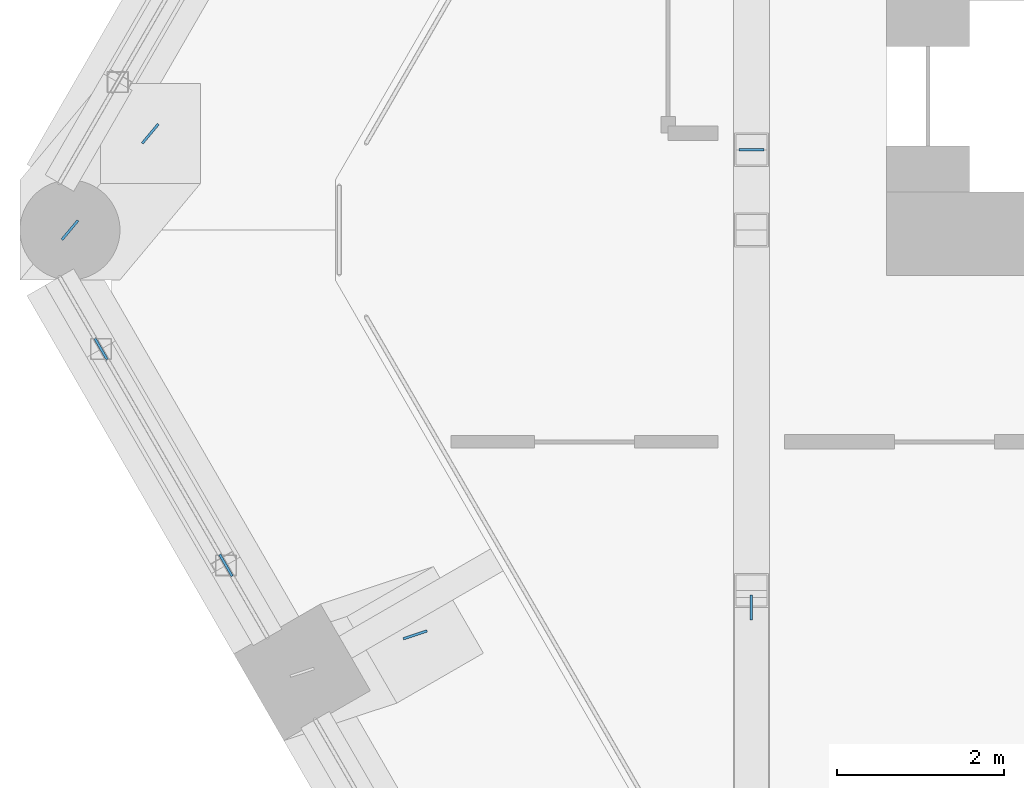
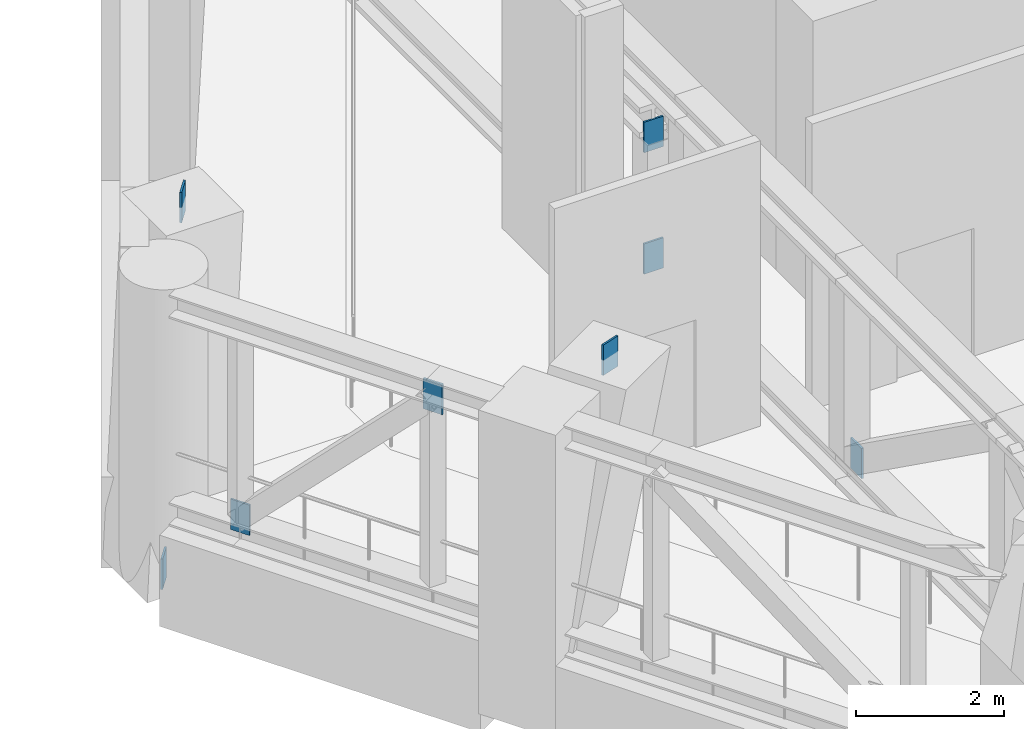
# One storey, part 14 of 22: 8 discrete accessories.
"""IFC4 building model written with IfcOpenShell, lengths in metres."""

import ifcopenshell
import ifcopenshell.guid

model = None  # the IFC model being written
_history = None  # IfcOwnerHistory: only IFC2X3 demands one
_inside = {}  # id of a spatial element -> (the spatial element, [elements in it])
_under = {}  # id of a project, library or spatial element -> (it, [spatial elements below it])
_declared = {}  # id of a project -> (the project, [libraries it declares])
_typed = {}  # id of a type object -> (the type object, [elements of that type])
_made_of = {}  # id of a material, layer set ... -> (it, [elements and type objects made of it])


def new_model(schema):
    """Start an empty IFC model of exactly this schema.

    Asked for "IFC4X3", IfcOpenShell would pick the latest addendum, in which some entities
    have other attributes; the version numbers below select the first issue.
    IFC2X3 requires an IfcOwnerHistory on every rooted entity: one is made here for all.
    """
    global model, _history
    if schema == "IFC4X3":
        model = ifcopenshell.file(schema_version=(4, 3, 0, 0))
    else:
        model = ifcopenshell.file(schema=schema)
    _inside.clear()
    _under.clear()
    _declared.clear()
    _typed.clear()
    _made_of.clear()
    _history = None
    if model.schema == "IFC2X3":
        org = make("IfcOrganization", Name="unknown")
        user = make(
            "IfcPersonAndOrganization",
            ThePerson=make("IfcPerson", FamilyName="unknown"),
            TheOrganization=org,
        )
        app = make(
            "IfcApplication",
            ApplicationDeveloper=org,
            Version="unknown",
            ApplicationFullName="unknown",
            ApplicationIdentifier="unknown",
        )
        _history = make(
            "IfcOwnerHistory",
            OwningUser=user,
            OwningApplication=app,
            ChangeAction="ADDED",
            CreationDate=0,
        )
    return model


def make(cls, **values):
    """One entity of the class cls with the attributes given. An attribute that is None is left unset."""
    return model.create_entity(
        cls, **{name: value for name, value in values.items() if value is not None}
    )


def rooted(cls, **values):
    """An entity with a GlobalId (a new one), such as an element, a storey or a relation."""
    return make(cls, GlobalId=ifcopenshell.guid.new(), OwnerHistory=_history, **values)


def si_unit(unit_type, name, prefix=None):
    """IfcSIUnit, for example si_unit("LENGTHUNIT", "METRE", prefix="MILLI")."""
    return make("IfcSIUnit", UnitType=unit_type, Prefix=prefix, Name=name)


def assignment(units):
    """IfcUnitAssignment: the units of a project."""
    return None if units is None else make("IfcUnitAssignment", Units=units)


def point(xyz):
    """IfcCartesianPoint."""
    return None if xyz is None else make("IfcCartesianPoint", Coordinates=xyz)


def direction(xyz):
    """IfcDirection."""
    return None if xyz is None else make("IfcDirection", DirectionRatios=xyz)


def frame(location, z_axis=None, x_axis=None):
    """IfcAxis2Placement3D, a coordinate frame: its origin and axes. An axis left out is left unset."""
    return make(
        "IfcAxis2Placement3D",
        Location=point(location),
        Axis=direction(z_axis),
        RefDirection=direction(x_axis),
    )


def frame_2d(location, x_axis=None):
    """IfcAxis2Placement2D, a coordinate frame in the plane: its origin and x axis."""
    return make(
        "IfcAxis2Placement2D", Location=point(location), RefDirection=direction(x_axis)
    )


def origin():
    """The frame at (0, 0, 0) with its axes left unset."""
    return frame((0.0, 0.0, 0.0))


def origin_2d():
    """The frame at (0, 0) in the plane with its x axis left unset."""
    return frame_2d((0.0, 0.0))


def place(relative_to, where):
    """IfcLocalPlacement: puts the frame where relative to a parent placement (None: the world)."""
    return make(
        "IfcLocalPlacement", PlacementRelTo=relative_to, RelativePlacement=where
    )


def context(
    kind, dimensions, precision=None, world=None, true_north=None, identifier=None
):
    """IfcGeometricRepresentationContext, for example the 3D "Model" context."""
    return make(
        "IfcGeometricRepresentationContext",
        ContextIdentifier=identifier,
        ContextType=kind,
        CoordinateSpaceDimension=dimensions,
        Precision=precision,
        WorldCoordinateSystem=world,
        TrueNorth=true_north,
    )


def subcontext(parent, identifier, kind, view, scale=None):
    """IfcGeometricRepresentationSubContext, for example "Body" below "Model"."""
    return make(
        "IfcGeometricRepresentationSubContext",
        ContextIdentifier=identifier,
        ContextType=kind,
        ParentContext=parent,
        TargetScale=scale,
        TargetView=view,
    )


def project(units=None, contexts=None):
    """IfcProject with its units and contexts."""
    return rooted(
        "IfcProject",
        Name="project",
        RepresentationContexts=contexts,
        UnitsInContext=assignment(units),
    )


def spatial(cls, under=None, at=None, **own):
    """A site, building, storey or space (cls), placed at a placement, below another one or the project."""
    s = rooted(cls, ObjectPlacement=at, **own)
    if under is not None:
        _under.setdefault(under.id(), (under, []))[1].append(s)
    return s


def profile(cls, at=None, kind="AREA", **sizes):
    """A parametric profile (cls). Its sizes go by their IFC names, for example OverallWidth=200.0."""
    return make(cls, ProfileType=kind, Position=at, **sizes)


def rectangle(**sizes):
    """IfcRectangleProfileDef."""
    return profile("IfcRectangleProfileDef", **sizes)


def extrude(swept, where, along, depth):
    """IfcExtrudedAreaSolid: the profile swept, set in the frame where, extruded along a direction by depth."""
    return make(
        "IfcExtrudedAreaSolid",
        SweptArea=swept,
        Position=where,
        ExtrudedDirection=direction(along),
        Depth=depth,
    )


def shape(context_of_items, identifier, shape_type, items):
    """IfcShapeRepresentation: the items that make up one representation, for example the "Body"."""
    return make(
        "IfcShapeRepresentation",
        ContextOfItems=context_of_items,
        RepresentationIdentifier=identifier,
        RepresentationType=shape_type,
        Items=items,
    )


def material(Name=None, Category=None):
    """IfcMaterial."""
    return make("IfcMaterial", Name=Name, Category=Category)


def layer(
    of_material, thickness, ventilated=None, Name=None, Category=None, Priority=None
):
    """IfcMaterialLayer: one layer of a wall or slab, of a material (None: an air gap)."""
    return make(
        "IfcMaterialLayer",
        Material=of_material,
        LayerThickness=thickness,
        IsVentilated=ventilated,
        Name=Name,
        Category=Category,
        Priority=Priority,
    )


def layer_set(layers, Name=None):
    """IfcMaterialLayerSet."""
    return make("IfcMaterialLayerSet", MaterialLayers=layers, LayerSetName=Name)


def made_of(thing, what):
    """Note that an element or type object is made of a material, layer set ...; save() writes the relation."""
    if what is not None:
        _made_of.setdefault(what.id(), (what, []))[1].append(thing)
    return thing


def type_object(cls, material=None, **own):
    """A type object (cls), such as IfcWallType, which elements share."""
    return made_of(rooted(cls, **own), material)


def element(
    cls,
    number,
    at=None,
    inside=None,
    cuts=None,
    type_object=None,
    material=None,
    context=None,
    identifier="Body",
    shape_type=None,
    held_by="IfcProductDefinitionShape",
    body=None,
    shapes=None,
    **own,
):
    """One element of the class cls, such as IfcWall. Its Tag is "e" and its number.

    at: its placement. inside: the storey or other place that contains it. cuts: it is an
    opening in that element (IfcRelVoidsElement). A single representation is given by context,
    identifier, shape_type and body (its items); several are given by shapes. held_by: the class
    of the entity that holds the representations. save() writes the other relations.
    """
    e = rooted(cls, Tag="e%d" % number, ObjectPlacement=at, **own)
    if body is not None:
        shapes = [shape(context, identifier, shape_type, body)]
    if shapes is not None:
        e.Representation = make(held_by, Representations=shapes)
    if inside is not None:
        _inside.setdefault(inside.id(), (inside, []))[1].append(e)
    if cuts is not None:
        rooted(
            "IfcRelVoidsElement", RelatingBuildingElement=cuts, RelatedOpeningElement=e
        )
    if type_object is not None:
        _typed.setdefault(type_object.id(), (type_object, []))[1].append(e)
    return made_of(e, material)


def aggregate(whole, parts):
    """IfcRelAggregates: a whole, such as a stair, and the parts it consists of."""
    return rooted("IfcRelAggregates", RelatingObject=whole, RelatedObjects=parts)


def save(model, path):
    """Write the relations noted so far, then the file.

    IfcRelAggregates (storeys below a building ...), IfcRelContainedInSpatialStructure (elements
    in a storey), IfcRelDefinesByType, IfcRelAssociatesMaterial and IfcRelDeclares: one each for
    every whole, place, type object, material and project.
    """
    for whole, parts in _under.values():
        aggregate(whole, parts)
    for where, things in _inside.values():
        rooted(
            "IfcRelContainedInSpatialStructure",
            RelatedElements=things,
            RelatingStructure=where,
        )
    for kind, things in _typed.values():
        rooted("IfcRelDefinesByType", RelatedObjects=things, RelatingType=kind)
    for what, things in _made_of.values():
        rooted("IfcRelAssociatesMaterial", RelatedObjects=things, RelatingMaterial=what)
    for by, libraries in _declared.values():
        rooted("IfcRelDeclares", RelatingContext=by, RelatedDefinitions=libraries)
    model.write(path)


model = new_model("IFC4")

# Units and contexts
model_context = context("Model", 3, precision=1e-05, world=origin(), true_north=direction((0.0, 1.0)))
body_context = subcontext(model_context, "Body", "Model", "MODEL_VIEW")
ifc_project = project(units=[si_unit("LENGTHUNIT", "METRE"), si_unit("AREAUNIT", "SQUARE_METRE"), si_unit("VOLUMEUNIT", "CUBIC_METRE"), si_unit("PLANEANGLEUNIT", "RADIAN"), si_unit("MASSUNIT", "GRAM", prefix="KILO")], contexts=[model_context])

# Site, building, storey
site_placement = place(None, origin())
site = spatial("IfcSite", under=ifc_project, at=site_placement, CompositionType="ELEMENT")
building_placement = place(site_placement, origin())
building = spatial("IfcBuilding", under=site, at=building_placement, Name="Ostrander Bayou Hotel Tower", CompositionType="ELEMENT")
storey_placement = place(building_placement, frame((0.0, 0.0, 146.0)))
storey = spatial("IfcBuildingStorey", under=building, at=storey_placement, Name="L36", CompositionType="ELEMENT", Elevation=146.0)

# Discrete accessories
ifc_material = material(Name="Steel ASTM A572 Gr 50", Category="steel")
ifc_layer = layer(ifc_material, 0.030029296875)
ifc_layer_set = layer_set([ifc_layer], Name="GP1 gusset plate 30 mm")
discrete_accessory_type = type_object("IfcDiscreteAccessoryType", Name="GP1 gusset plate 30 mm", PredefinedType="BRACKET", material=ifc_layer_set)
for number, where, z_axis, x_axis, name in (
    (1, (-21.427978515625, -2.585693359375, 0.130615234375), (0.0, 0.0, 1.0), (0.500030229685, -0.866007949964, 0.0), "GP1 gusset plate belt 21"),
    (2, (-19.9287109375, -5.182373046875, 3.16943359375), (0.0, 0.0, 1.0), (0.500030229685, -0.866007949964, 0.0), "GP1 gusset plate belt 22"),
    (3, (-13.6201171875, -0.192626953125, 0.247802734375), (0.0, 0.0, 1.0), (1.0, 0.0, 0.0), "GP1 gusset plate bar 123"),
    (4, (-13.6201171875, -0.192626953125, 2.25), (0.0, 0.0, 1.0), (1.0, 0.0, 0.0), "GP1 gusset plate bar 124"),
    (5, (-13.6201171875, -5.687255859375, 0.247802734375), (0.0, 0.0, 1.0), (0.0, -1.0, 0.0), "GP1 gusset plate bar 125"),
    (6, (-21.801513671875, -1.156494140625, -1.449951171875), (0.0, 0.0, 1.0), (0.640444865467, 0.768004149921, 0.0), "GP1 gusset plate belt 87"),
    (7, (-20.837158203125, 0.0, 3.550048828125), (0.0, 0.0, 1.0), (0.640444865467, 0.768004149921, 0.0), "GP1 gusset plate belt 88"),
    (8, (-17.6572265625, -6.0166015625, 3.550048828125), (0.0, 0.0, 1.0), (0.949156600569, 0.314804300472, 0.0), "GP1 gusset plate belt 106"),
):
    element("IfcDiscreteAccessory", number, at=place(storey_placement, frame(where, z_axis=z_axis, x_axis=x_axis)), inside=storey, type_object=discrete_accessory_type, Name=name, PredefinedType="BRACKET", context=body_context, shape_type="SweptSolid", body=[
        extrude(rectangle(XDim=0.300048828125, YDim=0.030029296875, at=origin_2d()), origin(), (0.0, 0.0, 1.0), 0.5),
    ])

save(model, "model.ifc")
